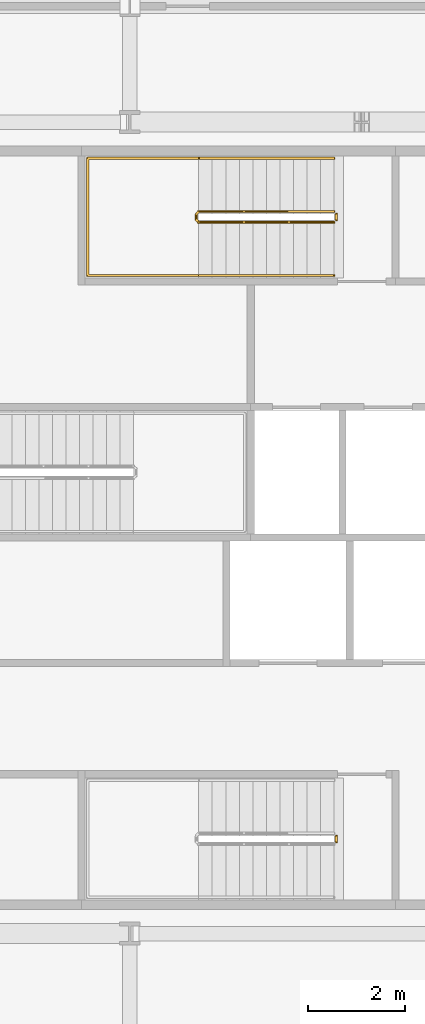
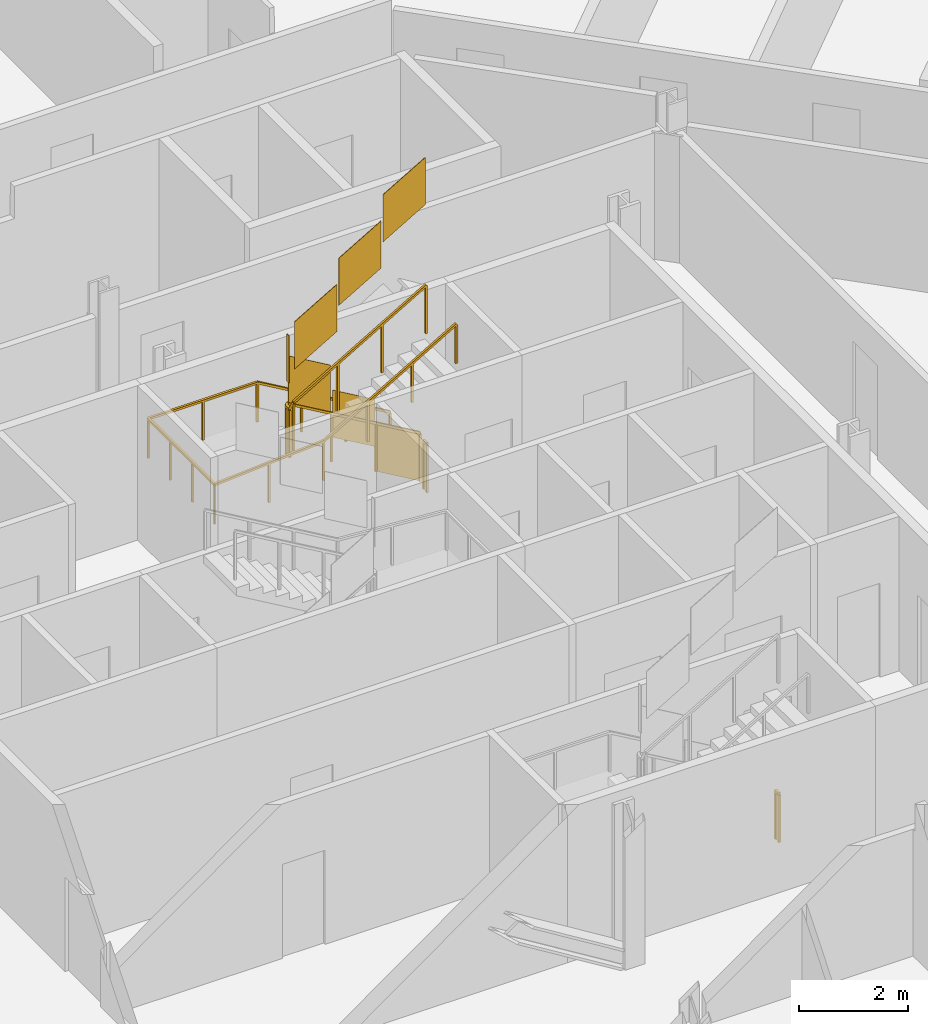
# One storey, part 19 of 22: 4 railings.
"""IFC4 building model written with IfcOpenShell, lengths in metres."""

from ifc_helpers import new_model, si_unit, direction, frame, origin, origin_2d, place, context, subcontext, project, spatial, polyline, rectangle, outline, extrude, material, type_object, element, save


model = new_model("IFC4")

# Units and contexts
model_context = context("Model", 3, precision=1e-05, world=origin(), true_north=direction((0.0, 1.0)))
body_context = subcontext(model_context, "Body", "Model", "MODEL_VIEW")
ifc_project = project(units=[si_unit("LENGTHUNIT", "METRE"), si_unit("AREAUNIT", "SQUARE_METRE"), si_unit("VOLUMEUNIT", "CUBIC_METRE"), si_unit("PLANEANGLEUNIT", "RADIAN"), si_unit("MASSUNIT", "GRAM", prefix="KILO")], contexts=[model_context])

# Site, building, storey
site_placement = place(None, origin())
site = spatial("IfcSite", under=ifc_project, at=site_placement, CompositionType="ELEMENT")
building_placement = place(site_placement, origin())
building = spatial("IfcBuilding", under=site, at=building_placement, Name="Cairn Pilgrim Tower", CompositionType="ELEMENT")
storey_placement = place(building_placement, frame((0.0, 0.0, 147.0)))
storey = spatial("IfcBuildingStorey", under=building, at=storey_placement, Name="L36", CompositionType="ELEMENT", Elevation=147.0)

# Railings
ifc_material = material(Name="Painted steel", Category="steel")
railing_type_1 = type_object("IfcRailingType", Name="STAIR GUARD 1100", PredefinedType="GUARDRAIL", material=ifc_material)
railing_1_placement = place(storey_placement, frame((11.47509765625, -3.97509765625, 0.0)))
element("IfcRailing", 1, at=railing_1_placement, inside=storey, type_object=railing_type_1, Name="L36 ST-A stair guard 2", PredefinedType="GUARDRAIL", context=body_context, shape_type="SweptSolid", body=[
    extrude(rectangle(XDim=0.048095703125, YDim=0.048095703125, at=origin_2d()), frame((0.0, 0.0, 1.076171875), z_axis=(0.0, -1.0, 0.0), x_axis=(1.0, 0.0, 0.0)), (0.0, 0.0, 1.0), 0.125),
    extrude(rectangle(XDim=0.0419921875, YDim=0.0419921875, at=origin_2d()), origin(), (0.0, 0.0, 1.0), 1.052001953125),
    extrude(rectangle(XDim=0.0419921875, YDim=0.0419921875, at=origin_2d()), frame((0.0, -0.125, 0.0)), (0.0, 0.0, 1.0), 1.052001953125),
    extrude(outline(polyline([(0.02099609375, 0.0), (0.10400390625, 0.0), (0.10400390625, 1.052001953125), (0.02099609375, 1.052001953125), (0.02099609375, 0.0)])), frame((0.005859375, 0.0, 0.0), z_axis=(-1.0, 0.0, 0.0), x_axis=(0.0, -1.0, 0.0)), (0.0, 0.0, 1.0), 0.011962890625),
])
railing_2_placement = place(storey_placement, frame((11.425048828125, 8.949951171875, 0.16357421875)))
element("IfcRailing", 2, at=railing_2_placement, inside=storey, type_object=railing_type_1, Name="L36 ST-C stair guard 1", PredefinedType="GUARDRAIL", context=body_context, shape_type="SweptSolid", body=[
    extrude(rectangle(XDim=0.048095703125, YDim=0.048095703125, at=origin_2d()), frame((0.0, 0.0, 1.076171875), z_axis=(-0.863360870873, 0.0, 0.504586966384), x_axis=(0.0, -1.0, 0.0)), (0.0, 0.0, 1.0), 3.2431640625),
    extrude(rectangle(XDim=0.048095703125, YDim=0.048095703125, at=origin_2d()), frame((-2.800048828125, 0.0, 2.71240234375), z_axis=(-0.707106781187, -0.707106781187, 0.0), x_axis=(0.707106781187, -0.707106781187, 0.0)), (0.0, 0.0, 1.0), 0.07080078125),
    extrude(rectangle(XDim=0.048095703125, YDim=0.048095703125, at=origin_2d()), frame((-2.85009765625, -0.050048828125, 2.71240234375), z_axis=(0.0, -1.0, 0.0), x_axis=(1.0, 0.0, 0.0)), (0.0, 0.0, 1.0), 0.125),
    extrude(rectangle(XDim=0.048095703125, YDim=0.048095703125, at=origin_2d()), frame((-2.85009765625, -0.175048828125, 2.71240234375), z_axis=(0.280916556609, -0.279546231943, 0.91811752648), x_axis=(0.705375805398, 0.708833529934, 0.0)), (0.0, 0.0, 1.0), 0.17822265625),
    extrude(rectangle(XDim=0.048095703125, YDim=0.048095703125, at=origin_2d()), frame((-2.800048828125, -0.224853515625, 2.8759765625), z_axis=(0.863360870873, 0.0, 0.504586966384), x_axis=(0.0, 1.0, 0.0)), (0.0, 0.0, 1.0), 3.2431640625),
    extrude(rectangle(XDim=0.0419921875, YDim=0.0419921875, at=origin_2d()), origin(), (0.0, 0.0, 1.0), 1.052001953125),
    extrude(rectangle(XDim=0.0419921875, YDim=0.0419921875, at=origin_2d()), frame((-0.933349609375, 0.0, 0.54541015625)), (0.0, 0.0, 1.0), 1.052001953125),
    extrude(rectangle(XDim=0.0419921875, YDim=0.0419921875, at=origin_2d()), frame((-1.86669921875, 0.0, 1.091064453125)), (0.0, 0.0, 1.0), 1.052001953125),
    extrude(rectangle(XDim=0.0419921875, YDim=0.0419921875, at=origin_2d()), frame((-2.800048828125, 0.0, 1.636474609375)), (0.0, 0.0, 1.0), 1.052001953125),
    extrude(rectangle(XDim=0.0419921875, YDim=0.0419921875, at=origin_2d()), frame((-2.85009765625, -0.050048828125, 1.636474609375)), (0.0, 0.0, 1.0), 1.052001953125),
    extrude(rectangle(XDim=0.0419921875, YDim=0.0419921875, at=origin_2d()), frame((-2.85009765625, -0.175048828125, 1.636474609375)), (0.0, 0.0, 1.0), 1.052001953125),
    extrude(rectangle(XDim=0.0419921875, YDim=0.0419921875, at=origin_2d()), frame((-2.800048828125, -0.224853515625, 1.800048828125)), (0.0, 0.0, 1.0), 1.052001953125),
    extrude(rectangle(XDim=0.0419921875, YDim=0.0419921875, at=origin_2d()), frame((-1.86669921875, -0.224853515625, 2.345458984375)), (0.0, 0.0, 1.0), 1.052001953125),
    extrude(rectangle(XDim=0.0419921875, YDim=0.0419921875, at=origin_2d()), frame((-0.933349609375, -0.224853515625, 2.89111328125)), (0.0, 0.0, 1.0), 1.052001953125),
    extrude(rectangle(XDim=0.0419921875, YDim=0.0419921875, at=origin_2d()), frame((0.0, -0.224853515625, 3.4365234375)), (0.0, 0.0, 1.0), 1.052001953125),
    extrude(outline(polyline([(0.02099609375, 0.01220703125), (0.912353515625, 0.533203125), (0.912353515625, 1.585205078125), (0.02099609375, 1.064208984375), (0.02099609375, 0.01220703125)])), frame((0.0, -0.005859375, 0.0), z_axis=(0.0, 1.0, 0.0), x_axis=(-1.0, 0.0, 0.0)), (0.0, 0.0, 1.0), 0.011962890625),
    extrude(outline(polyline([(0.02099609375, 0.557861328125), (0.912353515625, 1.07861328125), (0.912353515625, 2.130615234375), (0.02099609375, 1.60986328125), (0.02099609375, 0.557861328125)])), frame((-0.933349609375, -0.005859375, 0.54541015625), z_axis=(0.0, 1.0, 0.0), x_axis=(-1.0, 0.0, 0.0)), (0.0, 0.0, 1.0), 0.011962890625),
    extrude(outline(polyline([(0.02099609375, 1.103271484375), (0.912353515625, 1.624267578125), (0.912353515625, 2.67626953125), (0.02099609375, 2.1552734375), (0.02099609375, 1.103271484375)])), frame((-1.86669921875, -0.005859375, 1.091064453125), z_axis=(0.0, 1.0, 0.0), x_axis=(-1.0, 0.0, 0.0)), (0.0, 0.0, 1.0), 0.011962890625),
    extrude(outline(polyline([(0.02099609375, 1.636474609375), (0.10400390625, 1.636474609375), (0.10400390625, 2.6884765625), (0.02099609375, 2.6884765625), (0.02099609375, 1.636474609375)])), frame((-2.84423828125, -0.050048828125, 1.636474609375), z_axis=(-1.0, 0.0, 0.0), x_axis=(0.0, -1.0, 0.0)), (0.0, 0.0, 1.0), 0.011962890625),
    extrude(outline(polyline([(0.02099609375, 1.812255859375), (0.912353515625, 2.333251953125), (0.912353515625, 3.38525390625), (0.02099609375, 2.8642578125), (0.02099609375, 1.812255859375)])), frame((-2.800048828125, -0.21875, 1.800048828125), z_axis=(0.0, -1.0, 0.0), x_axis=(1.0, 0.0, 0.0)), (0.0, 0.0, 1.0), 0.011962890625),
    extrude(outline(polyline([(0.02099609375, 2.35791015625), (0.912353515625, 2.878662109375), (0.912353515625, 3.9306640625), (0.02099609375, 3.409912109375), (0.02099609375, 2.35791015625)])), frame((-1.86669921875, -0.21875, 2.345458984375), z_axis=(0.0, -1.0, 0.0), x_axis=(1.0, 0.0, 0.0)), (0.0, 0.0, 1.0), 0.011962890625),
    extrude(outline(polyline([(0.02099609375, 2.9033203125), (0.912353515625, 3.42431640625), (0.912353515625, 4.476318359375), (0.02099609375, 3.955322265625), (0.02099609375, 2.9033203125)])), frame((-0.933349609375, -0.21875, 2.89111328125), z_axis=(0.0, -1.0, 0.0), x_axis=(1.0, 0.0, 0.0)), (0.0, 0.0, 1.0), 0.011962890625),
])
railing_3_placement = place(storey_placement, frame((11.47509765625, 8.89990234375, 0.0)))
element("IfcRailing", 3, at=railing_3_placement, inside=storey, type_object=railing_type_1, Name="L36 ST-C stair guard 2", PredefinedType="GUARDRAIL", context=body_context, shape_type="SweptSolid", body=[
    extrude(rectangle(XDim=0.048095703125, YDim=0.048095703125, at=origin_2d()), frame((0.0, 0.0, 1.076171875), z_axis=(0.0, -1.0, 0.0), x_axis=(1.0, 0.0, 0.0)), (0.0, 0.0, 1.0), 0.125),
    extrude(rectangle(XDim=0.0419921875, YDim=0.0419921875, at=origin_2d()), origin(), (0.0, 0.0, 1.0), 1.052001953125),
    extrude(rectangle(XDim=0.0419921875, YDim=0.0419921875, at=origin_2d()), frame((0.0, -0.125, 0.0)), (0.0, 0.0, 1.0), 1.052001953125),
    extrude(outline(polyline([(0.02099609375, 0.0), (0.10400390625, 0.0), (0.10400390625, 1.052001953125), (0.02099609375, 1.052001953125), (0.02099609375, 0.0)])), frame((0.005859375, 0.0, 0.0), z_axis=(-1.0, 0.0, 0.0), x_axis=(0.0, -1.0, 0.0)), (0.0, 0.0, 1.0), 0.011962890625),
])
railing_type_2 = type_object("IfcRailingType", Name="STAIR HANDRAIL 900", PredefinedType="HANDRAIL", material=ifc_material)
railing_4_placement = place(storey_placement, frame((11.425048828125, 10.050048828125, 0.16357421875)))
element("IfcRailing", 4, at=railing_4_placement, inside=storey, type_object=railing_type_2, Name="L36 ST-C stair handrail 1", PredefinedType="HANDRAIL", context=body_context, shape_type="SweptSolid", body=[
    extrude(rectangle(XDim=0.048095703125, YDim=0.048095703125, at=origin_2d()), frame((0.0, 0.0, 0.8759765625), z_axis=(-0.863360870873, 0.0, 0.504586966384), x_axis=(0.0, -1.0, 0.0)), (0.0, 0.0, 1.0), 3.2431640625),
    extrude(rectangle(XDim=0.048095703125, YDim=0.048095703125, at=origin_2d()), frame((-2.800048828125, 0.0, 2.51220703125), z_axis=(-1.0, 0.0, 0.0), x_axis=(0.0, -1.0, 0.0)), (0.0, 0.0, 1.0), 2.300048828125),
    extrude(rectangle(XDim=0.048095703125, YDim=0.048095703125, at=origin_2d()), frame((-5.10009765625, 0.0, 2.51220703125), z_axis=(0.0, -1.0, 0.0), x_axis=(1.0, 0.0, 0.0)), (0.0, 0.0, 1.0), 2.425048828125),
    extrude(rectangle(XDim=0.048095703125, YDim=0.048095703125, at=origin_2d()), frame((-5.10009765625, -2.425048828125, 2.51220703125), z_axis=(0.997480687736, 0.0, 0.070938548008), x_axis=(0.0, 1.0, 0.0)), (0.0, 0.0, 1.0), 2.305908203125),
    extrude(rectangle(XDim=0.048095703125, YDim=0.048095703125, at=origin_2d()), frame((-2.800048828125, -2.425048828125, 2.67578125), z_axis=(0.863360870873, 0.0, 0.504586966384), x_axis=(0.0, 1.0, 0.0)), (0.0, 0.0, 1.0), 3.2431640625),
    extrude(rectangle(XDim=0.0419921875, YDim=0.0419921875, at=origin_2d()), origin(), (0.0, 0.0, 1.0), 0.851806640625),
    extrude(rectangle(XDim=0.0419921875, YDim=0.0419921875, at=origin_2d()), frame((-0.933349609375, 0.0, 0.54541015625)), (0.0, 0.0, 1.0), 0.851806640625),
    extrude(rectangle(XDim=0.0419921875, YDim=0.0419921875, at=origin_2d()), frame((-1.86669921875, 0.0, 1.091064453125)), (0.0, 0.0, 1.0), 0.851806640625),
    extrude(rectangle(XDim=0.0419921875, YDim=0.0419921875, at=origin_2d()), frame((-2.800048828125, 0.0, 1.636474609375)), (0.0, 0.0, 1.0), 0.851806640625),
    extrude(rectangle(XDim=0.0419921875, YDim=0.0419921875, at=origin_2d()), frame((-3.9501953125, 0.0, 1.636474609375)), (0.0, 0.0, 1.0), 0.851806640625),
    extrude(rectangle(XDim=0.0419921875, YDim=0.0419921875, at=origin_2d()), frame((-5.10009765625, 0.0, 1.636474609375)), (0.0, 0.0, 1.0), 0.851806640625),
    extrude(rectangle(XDim=0.0419921875, YDim=0.0419921875, at=origin_2d()), frame((-5.10009765625, -0.808349609375, 1.636474609375)), (0.0, 0.0, 1.0), 0.851806640625),
    extrude(rectangle(XDim=0.0419921875, YDim=0.0419921875, at=origin_2d()), frame((-5.10009765625, -1.61669921875, 1.636474609375)), (0.0, 0.0, 1.0), 0.851806640625),
    extrude(rectangle(XDim=0.0419921875, YDim=0.0419921875, at=origin_2d()), frame((-5.10009765625, -2.425048828125, 1.636474609375)), (0.0, 0.0, 1.0), 0.851806640625),
    extrude(rectangle(XDim=0.0419921875, YDim=0.0419921875, at=origin_2d()), frame((-3.9501953125, -2.425048828125, 1.71826171875)), (0.0, 0.0, 1.0), 0.851806640625),
    extrude(rectangle(XDim=0.0419921875, YDim=0.0419921875, at=origin_2d()), frame((-2.800048828125, -2.425048828125, 1.800048828125)), (0.0, 0.0, 1.0), 0.851806640625),
    extrude(rectangle(XDim=0.0419921875, YDim=0.0419921875, at=origin_2d()), frame((-1.86669921875, -2.425048828125, 2.345458984375)), (0.0, 0.0, 1.0), 0.851806640625),
    extrude(rectangle(XDim=0.0419921875, YDim=0.0419921875, at=origin_2d()), frame((-0.933349609375, -2.425048828125, 2.89111328125)), (0.0, 0.0, 1.0), 0.851806640625),
    extrude(rectangle(XDim=0.0419921875, YDim=0.0419921875, at=origin_2d()), frame((0.0, -2.425048828125, 3.4365234375)), (0.0, 0.0, 1.0), 0.851806640625),
])

save(model, "model.ifc")
